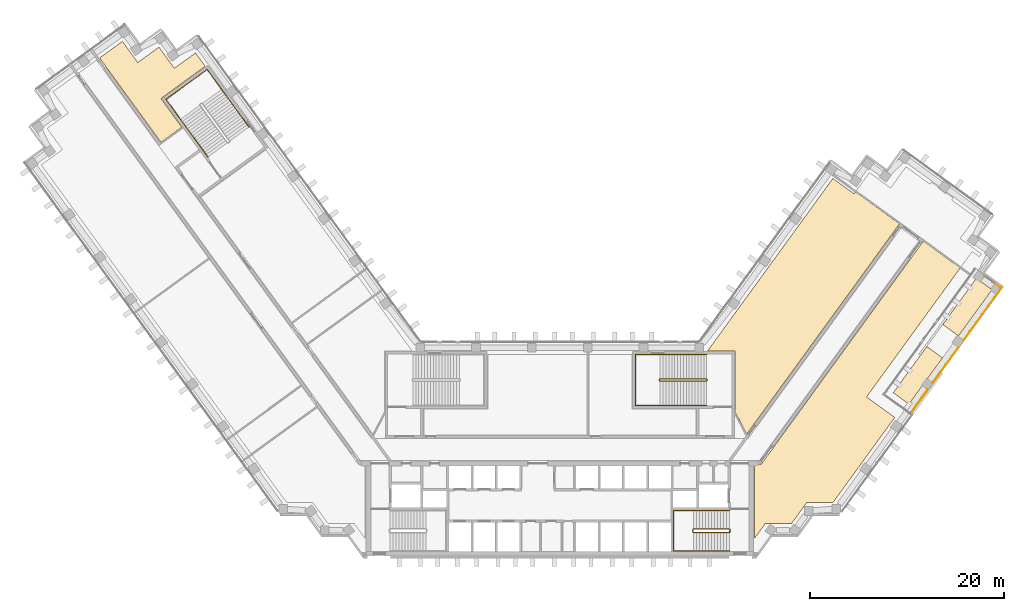
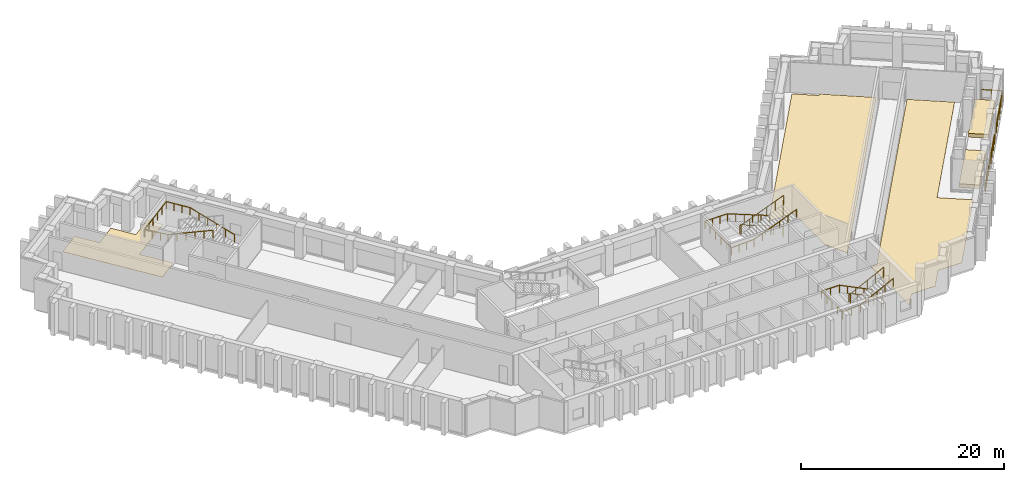
# One storey, part 13 of 14: 9 railings, 5 coverings.
"""IFC4 building model written with IfcOpenShell, lengths in metres."""

from ifc_helpers import new_model, si_unit, direction, frame, origin, origin_2d, place, context, subcontext, project, spatial, polyline, circle, outline, extrude, material, layer, layer_set, type_object, element, save


model = new_model("IFC4")

# Units and contexts
model_context = context("Model", 3, precision=1e-05, world=origin(), true_north=direction((0.0, 1.0)))
body_context = subcontext(model_context, "Body", "Model", "MODEL_VIEW")
ifc_project = project(units=[si_unit("LENGTHUNIT", "METRE"), si_unit("AREAUNIT", "SQUARE_METRE"), si_unit("VOLUMEUNIT", "CUBIC_METRE"), si_unit("PLANEANGLEUNIT", "RADIAN"), si_unit("MASSUNIT", "GRAM", prefix="KILO")], contexts=[model_context])

# Site, building, storey
site_placement = place(None, origin())
site = spatial("IfcSite", under=ifc_project, at=site_placement, CompositionType="ELEMENT")
building_placement = place(site_placement, origin())
building = spatial("IfcBuilding", under=site, at=building_placement, Name="Quipu Civic Tower", CompositionType="ELEMENT")
storey_placement = place(building_placement, frame((0.0, 0.0, 93.0)))
storey = spatial("IfcBuildingStorey", under=building, at=storey_placement, Name="L21", CompositionType="ELEMENT", Elevation=93.0)

# Coverings
ifc_material_1 = material(Name="Carpet tile on raised access floor")
ifc_layer_1 = layer(ifc_material_1, 0.02001953125)
ifc_layer_set_1 = layer_set([ifc_layer_1], Name="Carpet tile on raised access floor")
covering_type_1 = type_object("IfcCoveringType", Name="Carpet tile floor finish 20", PredefinedType="FLOORING", material=ifc_layer_set_1)
covering_1_placement = place(storey_placement, origin())
element("IfcCovering", 1, at=covering_1_placement, inside=storey, type_object=covering_type_1, Name="Carpet tile floor finish 20", PredefinedType="FLOORING", context=body_context, shape_type="SweptSolid", body=[
    extrude(outline(polyline([(-47.471923828125, 40.39794921875), (-45.116943359375, 42.10791015625), (-43.531982421875, 39.925048828125), (-41.346923828125, 41.510986328125), (-39.760009765625, 39.326904296875), (-37.574951171875, 40.9130859375), (-36.570068359375, 39.530029296875), (-41.139892578125, 36.208984375), (-38.998046875, 33.260009765625), (-41.15087890625, 31.697021484375), (-47.471923828125, 40.39794921875)])), origin(), (0.0, 0.0, 1.0), 0.02001953125),
])
covering_2_placement = place(storey_placement, origin())
element("IfcCovering", 2, at=covering_2_placement, inside=storey, type_object=covering_type_1, Name="Carpet tile floor finish 20", PredefinedType="FLOORING", context=body_context, shape_type="SweptSolid", body=[
    extrude(outline(polyline([(15.238037109375, 10.169921875), (28.169921875, 27.968994140625), (30.35302734375, 26.383056640625), (30.5009765625, 26.583984375), (35.0400390625, 23.2880859375), (19.27197265625, 1.583984375), (18.070068359375, 3.94189453125), (18.070068359375, 10.1689453125), (15.238037109375, 10.169921875)])), origin(), (0.0, 0.0, 1.0), 0.02001953125),
])
covering_3_placement = place(storey_placement, origin())
element("IfcCovering", 3, at=covering_3_placement, inside=storey, type_object=covering_type_1, Name="Carpet tile floor finish 20", PredefinedType="FLOORING", context=body_context, shape_type="SweptSolid", body=[
    extrude(outline(polyline([(20.070068359375, -9.195068359375), (20.070068359375, -1.52001953125), (20.77490234375, -1.51904296875), (37.4990234375, 21.5), (41.31005859375, 18.73193359375), (31.64208984375, 5.425048828125), (34.552978515625, 3.30810546875), (28.181884765625, -5.4609375), (25.48193359375, -5.4619140625), (25.2080078125, -5.840087890625), (25.205078125, -5.841064453125), (25.200927734375, -5.843017578125), (25.197021484375, -5.844970703125), (25.193115234375, -5.847900390625), (25.18896484375, -5.85205078125), (25.18603515625, -5.85498046875), (25.18310546875, -5.85888671875), (25.179931640625, -5.863037109375), (25.177978515625, -5.867919921875), (25.177001953125, -5.8720703125), (25.175048828125, -5.876953125), (25.175048828125, -5.882080078125), (25.174072265625, -5.885986328125), (23.89501953125, -7.64599609375), (21.721923828125, -7.64599609375), (21.721923828125, -7.64599609375), (21.718017578125, -7.64306640625), (21.712890625, -7.64111328125), (21.708984375, -7.638916015625), (21.7041015625, -7.637939453125), (21.698974609375, -7.636962890625), (21.694091796875, -7.635986328125), (21.68896484375, -7.636962890625), (21.68408203125, -7.636962890625), (21.679931640625, -7.637939453125), (21.675048828125, -7.639892578125), (21.669921875, -7.64111328125), (21.666015625, -7.64404296875), (21.6630859375, -7.64599609375), (21.196044921875, -7.64599609375), (20.070068359375, -9.195068359375)])), origin(), (0.0, 0.0, 1.0), 0.02001953125),
])
ifc_material_2 = material(Name="Planting soil on drainage board")
ifc_layer_2 = layer(ifc_material_2, 0.449951171875)
ifc_layer_set_2 = layer_set([ifc_layer_2], Name="Planting soil on drainage board")
covering_type_2 = type_object("IfcCoveringType", Name="Planted terrace build-up", PredefinedType="FLOORING", material=ifc_layer_set_2)
covering_4_placement = place(storey_placement, origin())
element("IfcCovering", 4, at=covering_4_placement, inside=storey, type_object=covering_type_2, Name="Planted terrace L21 bed 1", PredefinedType="FLOORING", context=body_context, shape_type="SweptSolid", body=[
    extrude(outline(polyline([(37.8603515625, 10.632080078125), (39.478515625, 9.45654296875), (36.0107421875, 4.68359375), (34.392578125, 5.859130859375), (37.8603515625, 10.632080078125)])), origin(), (0.0, 0.0, 1.0), 0.449951171875),
])
covering_5_placement = place(storey_placement, origin())
element("IfcCovering", 5, at=covering_5_placement, inside=storey, type_object=covering_type_2, Name="Planted terrace L21 bed 2", PredefinedType="FLOORING", context=body_context, shape_type="SweptSolid", body=[
    extrude(outline(polyline([(42.974365234375, 17.6708984375), (44.59228515625, 16.495361328125), (41.124267578125, 11.7216796875), (39.506103515625, 12.897216796875), (42.974365234375, 17.6708984375)])), origin(), (0.0, 0.0, 1.0), 0.449951171875),
])

# Railings
ifc_material_3 = material(Name="Stainless steel", Category="steel")
railing_type_1 = type_object("IfcRailingType", Name="Stair guard 1100", PredefinedType="GUARDRAIL", material=ifc_material_3)
railing_1_placement = place(storey_placement, frame((17.5, -8.199951171875, 0.15380859375)))
element("IfcRailing", 6, at=railing_1_placement, inside=storey, type_object=railing_type_1, Name="Stair 2 guard", PredefinedType="GUARDRAIL", context=body_context, shape_type="SweptSolid", body=[
    extrude(circle(Radius=0.02392578125, at=origin_2d()), frame((0.0, 0.0, 1.076171875), z_axis=(-0.895751851347, 0.0, 0.444554407028), x_axis=(0.0, -1.0, 0.0)), (0.0, 0.0, 1.0), 4.15283203125),
    extrude(circle(Radius=0.02392578125, at=origin_2d()), frame((-3.719970703125, 0.0, 2.92236328125), z_axis=(-0.707106781187, -0.707106781187, 0.0), x_axis=(0.707106781187, -0.707106781187, 0.0)), (0.0, 0.0, 1.0), 0.07080078125),
    extrude(circle(Radius=0.02392578125, at=origin_2d()), frame((-3.77001953125, -0.050048828125, 2.92236328125), z_axis=(0.0, -1.0, 0.0), x_axis=(1.0, 0.0, 0.0)), (0.0, 0.0, 1.0), 0.25),
    extrude(circle(Radius=0.02392578125, at=origin_2d()), frame((-3.77001953125, -0.300048828125, 2.92236328125), z_axis=(0.295599637079, -0.295599637079, 0.908428152975), x_axis=(0.707106781187, 0.707106781187, 0.0)), (0.0, 0.0, 1.0), 0.16943359375),
    extrude(circle(Radius=0.02392578125, at=origin_2d()), frame((-3.719970703125, -0.35009765625, 3.076171875), z_axis=(0.895751851347, 0.0, 0.444554407028), x_axis=(0.0, 1.0, 0.0)), (0.0, 0.0, 1.0), 4.15283203125),
    extrude(circle(Radius=0.02392578125, at=origin_2d()), frame((0.0, -0.35009765625, 4.92236328125), z_axis=(0.012476181752, 0.074796231092, -0.997120789425), x_axis=(-0.986372223864, 0.164529134168, 0.0)), (0.0, 0.0, 1.0), 4.011474609375),
    extrude(circle(Radius=0.02392578125, at=origin_2d()), frame((0.050048828125, -0.050048828125, 0.92236328125), z_axis=(0.0, -1.0, 0.0), x_axis=(1.0, 0.0, 0.0)), (0.0, 0.0, 1.0), 0.25),
    extrude(circle(Radius=0.02099609375, at=origin_2d()), origin(), (0.0, 0.0, 1.0), 1.052001953125),
    extrude(circle(Radius=0.02099609375, at=origin_2d()), frame((-0.929931640625, 0.0, 0.46142578125)), (0.0, 0.0, 1.0), 1.052001953125),
    extrude(circle(Radius=0.02099609375, at=origin_2d()), frame((-1.85986328125, 0.0, 0.923095703125)), (0.0, 0.0, 1.0), 1.052001953125),
    extrude(circle(Radius=0.02099609375, at=origin_2d()), frame((-2.7900390625, 0.0, 1.384765625)), (0.0, 0.0, 1.0), 1.052001953125),
    extrude(circle(Radius=0.02099609375, at=origin_2d()), frame((-3.719970703125, 0.0, 1.84619140625)), (0.0, 0.0, 1.0), 1.052001953125),
    extrude(circle(Radius=0.02099609375, at=origin_2d()), frame((-3.77001953125, -0.050048828125, 1.84619140625)), (0.0, 0.0, 1.0), 1.052001953125),
    extrude(circle(Radius=0.02099609375, at=origin_2d()), frame((-3.77001953125, -0.300048828125, 1.84619140625)), (0.0, 0.0, 1.0), 1.052001953125),
    extrude(circle(Radius=0.02099609375, at=origin_2d()), frame((-3.719970703125, -0.35009765625, 2.0)), (0.0, 0.0, 1.0), 1.052001953125),
    extrude(circle(Radius=0.02099609375, at=origin_2d()), frame((-2.7900390625, -0.35009765625, 2.46142578125)), (0.0, 0.0, 1.0), 1.052001953125),
    extrude(circle(Radius=0.02099609375, at=origin_2d()), frame((-1.85986328125, -0.35009765625, 2.923095703125)), (0.0, 0.0, 1.0), 1.052001953125),
    extrude(circle(Radius=0.02099609375, at=origin_2d()), frame((-0.929931640625, -0.35009765625, 3.384765625)), (0.0, 0.0, 1.0), 1.052001953125),
    extrude(circle(Radius=0.02099609375, at=origin_2d()), frame((0.0, -0.35009765625, 3.84619140625)), (0.0, 0.0, 1.0), 1.052001953125),
    extrude(circle(Radius=0.02099609375, at=origin_2d()), frame((0.012451171875, -0.275146484375, 2.84619140625)), (0.0, 0.0, 1.0), 1.052001953125),
    extrude(circle(Radius=0.02099609375, at=origin_2d()), frame((0.02490234375, -0.2001953125, 1.84619140625)), (0.0, 0.0, 1.0), 1.052001953125),
    extrude(circle(Radius=0.02099609375, at=origin_2d()), frame((0.03759765625, -0.125, 0.84619140625)), (0.0, 0.0, 1.0), 1.052001953125),
    extrude(circle(Radius=0.02099609375, at=origin_2d()), frame((0.050048828125, -0.050048828125, -0.15380859375)), (0.0, 0.0, 1.0), 1.052001953125),
    extrude(circle(Radius=0.02099609375, at=origin_2d()), frame((0.050048828125, -0.300048828125, -0.15380859375)), (0.0, 0.0, 1.0), 1.052001953125),
])
railing_2_placement = place(storey_placement, frame((15.14990234375, 7.300048828125, 0.11767578125)))
element("IfcRailing", 7, at=railing_2_placement, inside=storey, type_object=railing_type_1, Name="Stair 4 guard", PredefinedType="GUARDRAIL", context=body_context, shape_type="SweptSolid", body=[
    extrude(circle(Radius=0.02392578125, at=origin_2d()), frame((0.0, 0.0, 1.076171875), z_axis=(-0.930970042603, 0.0, 0.365095576219), x_axis=(0.0, -1.0, 0.0)), (0.0, 0.0, 1.0), 5.15576171875),
    extrude(circle(Radius=0.02392578125, at=origin_2d()), frame((-4.7998046875, 0.0, 2.95849609375), z_axis=(-0.707106781187, -0.707106781187, 0.0), x_axis=(0.707106781187, -0.707106781187, 0.0)), (0.0, 0.0, 1.0), 0.07080078125),
    extrude(circle(Radius=0.02392578125, at=origin_2d()), frame((-4.849853515625, -0.050048828125, 2.95849609375), z_axis=(0.0, -1.0, 0.0), x_axis=(1.0, 0.0, 0.0)), (0.0, 0.0, 1.0), 0.14990234375),
    extrude(circle(Radius=0.02392578125, at=origin_2d()), frame((-4.849853515625, -0.199951171875, 2.95849609375), z_axis=(0.364463019033, -0.364463019033, 0.856932561824), x_axis=(0.707106781187, 0.707106781187, 0.0)), (0.0, 0.0, 1.0), 0.13720703125),
    extrude(circle(Radius=0.02392578125, at=origin_2d()), frame((-4.7998046875, -0.25, 3.076171875), z_axis=(0.930970042603, 0.0, 0.365095576219), x_axis=(0.0, 1.0, 0.0)), (0.0, 0.0, 1.0), 5.15576171875),
    extrude(circle(Radius=0.02392578125, at=origin_2d()), frame((0.0, -0.25, 4.95849609375), z_axis=(0.012495627992, 0.049921557685, -0.998674970829), x_axis=(-0.970072785993, 0.242814311512, 0.0)), (0.0, 0.0, 1.0), 4.00537109375),
    extrude(circle(Radius=0.02392578125, at=origin_2d()), frame((0.050048828125, -0.050048828125, 0.95849609375), z_axis=(0.0, -1.0, 0.0), x_axis=(1.0, 0.0, 0.0)), (0.0, 0.0, 1.0), 0.14990234375),
    extrude(circle(Radius=0.02099609375, at=origin_2d()), origin(), (0.0, 0.0, 1.0), 1.052001953125),
    extrude(circle(Radius=0.02099609375, at=origin_2d()), frame((-0.9599609375, 0.0, 0.37646484375)), (0.0, 0.0, 1.0), 1.052001953125),
    extrude(circle(Radius=0.02099609375, at=origin_2d()), frame((-1.919921875, 0.0, 0.7529296875)), (0.0, 0.0, 1.0), 1.052001953125),
    extrude(circle(Radius=0.02099609375, at=origin_2d()), frame((-2.8798828125, 0.0, 1.12939453125)), (0.0, 0.0, 1.0), 1.052001953125),
    extrude(circle(Radius=0.02099609375, at=origin_2d()), frame((-3.83984375, 0.0, 1.505859375)), (0.0, 0.0, 1.0), 1.052001953125),
    extrude(circle(Radius=0.02099609375, at=origin_2d()), frame((-4.7998046875, 0.0, 1.88232421875)), (0.0, 0.0, 1.0), 1.052001953125),
    extrude(circle(Radius=0.02099609375, at=origin_2d()), frame((-4.849853515625, -0.050048828125, 1.88232421875)), (0.0, 0.0, 1.0), 1.052001953125),
    extrude(circle(Radius=0.02099609375, at=origin_2d()), frame((-4.849853515625, -0.199951171875, 1.88232421875)), (0.0, 0.0, 1.0), 1.052001953125),
    extrude(circle(Radius=0.02099609375, at=origin_2d()), frame((-4.7998046875, -0.25, 2.0)), (0.0, 0.0, 1.0), 1.052001953125),
    extrude(circle(Radius=0.02099609375, at=origin_2d()), frame((-3.83984375, -0.25, 2.37646484375)), (0.0, 0.0, 1.0), 1.052001953125),
    extrude(circle(Radius=0.02099609375, at=origin_2d()), frame((-2.8798828125, -0.25, 2.7529296875)), (0.0, 0.0, 1.0), 1.052001953125),
    extrude(circle(Radius=0.02099609375, at=origin_2d()), frame((-1.919921875, -0.25, 3.12939453125)), (0.0, 0.0, 1.0), 1.052001953125),
    extrude(circle(Radius=0.02099609375, at=origin_2d()), frame((-0.9599609375, -0.25, 3.505859375)), (0.0, 0.0, 1.0), 1.052001953125),
    extrude(circle(Radius=0.02099609375, at=origin_2d()), frame((0.0, -0.25, 3.88232421875)), (0.0, 0.0, 1.0), 1.052001953125),
    extrude(circle(Radius=0.02099609375, at=origin_2d()), frame((0.012451171875, -0.199951171875, 2.88232421875)), (0.0, 0.0, 1.0), 1.052001953125),
    extrude(circle(Radius=0.02099609375, at=origin_2d()), frame((0.02490234375, -0.14990234375, 1.88232421875)), (0.0, 0.0, 1.0), 1.052001953125),
    extrude(circle(Radius=0.02099609375, at=origin_2d()), frame((0.03759765625, -0.10009765625, 0.88232421875)), (0.0, 0.0, 1.0), 1.052001953125),
    extrude(circle(Radius=0.02099609375, at=origin_2d()), frame((0.050048828125, -0.050048828125, -0.11767578125)), (0.0, 0.0, 1.0), 1.052001953125),
    extrude(circle(Radius=0.02099609375, at=origin_2d()), frame((0.050048828125, -0.199951171875, -0.11767578125)), (0.0, 0.0, 1.0), 1.052001953125),
])
ifc_material_4 = material(Name="Stainless steel", Category="steel")
railing_type_2 = type_object("IfcRailingType", Name="Stair handrail", PredefinedType="HANDRAIL", material=ifc_material_4)
railing_3_placement = place(storey_placement, frame((17.5, -6.300048828125, 0.15380859375)))
element("IfcRailing", 8, at=railing_3_placement, inside=storey, type_object=railing_type_2, Name="Stair 2 handrail", PredefinedType="HANDRAIL", context=body_context, shape_type="SweptSolid", body=[
    extrude(circle(Radius=0.02392578125, at=origin_2d()), frame((0.0, 0.0, 0.8759765625), z_axis=(-0.895751851347, 0.0, 0.444554407028), x_axis=(0.0, -1.0, 0.0)), (0.0, 0.0, 1.0), 4.15283203125),
    extrude(circle(Radius=0.02392578125, at=origin_2d()), frame((-3.719970703125, 0.0, 2.72216796875), z_axis=(-1.0, 0.0, 0.0), x_axis=(0.0, -1.0, 0.0)), (0.0, 0.0, 1.0), 2.030029296875),
    extrude(circle(Radius=0.02392578125, at=origin_2d()), frame((-5.75, 0.0, 2.72216796875), z_axis=(0.0, -1.0, 0.0), x_axis=(1.0, 0.0, 0.0)), (0.0, 0.0, 1.0), 4.14990234375),
    extrude(circle(Radius=0.02392578125, at=origin_2d()), frame((-5.75, -4.14990234375, 2.72216796875), z_axis=(0.997142003663, 0.0, 0.075550145798), x_axis=(0.0, 1.0, 0.0)), (0.0, 0.0, 1.0), 2.035888671875),
    extrude(circle(Radius=0.02392578125, at=origin_2d()), frame((-3.719970703125, -4.14990234375, 2.8759765625), z_axis=(0.895751851347, 0.0, 0.444554407028), x_axis=(0.0, 1.0, 0.0)), (0.0, 0.0, 1.0), 4.15283203125),
    extrude(circle(Radius=0.02099609375, at=origin_2d()), origin(), (0.0, 0.0, 1.0), 0.851806640625),
    extrude(circle(Radius=0.02099609375, at=origin_2d()), frame((-0.929931640625, 0.0, 0.46142578125)), (0.0, 0.0, 1.0), 0.851806640625),
    extrude(circle(Radius=0.02099609375, at=origin_2d()), frame((-1.85986328125, 0.0, 0.923095703125)), (0.0, 0.0, 1.0), 0.851806640625),
    extrude(circle(Radius=0.02099609375, at=origin_2d()), frame((-2.7900390625, 0.0, 1.384765625)), (0.0, 0.0, 1.0), 0.851806640625),
    extrude(circle(Radius=0.02099609375, at=origin_2d()), frame((-3.719970703125, 0.0, 1.84619140625)), (0.0, 0.0, 1.0), 0.851806640625),
    extrude(circle(Radius=0.02099609375, at=origin_2d()), frame((-4.73486328125, 0.0, 1.84619140625)), (0.0, 0.0, 1.0), 0.851806640625),
    extrude(circle(Radius=0.02099609375, at=origin_2d()), frame((-5.75, 0.0, 1.84619140625)), (0.0, 0.0, 1.0), 0.851806640625),
    extrude(circle(Radius=0.02099609375, at=origin_2d()), frame((-5.75, -1.03759765625, 1.84619140625)), (0.0, 0.0, 1.0), 0.851806640625),
    extrude(circle(Radius=0.02099609375, at=origin_2d()), frame((-5.75, -2.074951171875, 1.84619140625)), (0.0, 0.0, 1.0), 0.851806640625),
    extrude(circle(Radius=0.02099609375, at=origin_2d()), frame((-5.75, -3.1123046875, 1.84619140625)), (0.0, 0.0, 1.0), 0.851806640625),
    extrude(circle(Radius=0.02099609375, at=origin_2d()), frame((-5.75, -4.14990234375, 1.84619140625)), (0.0, 0.0, 1.0), 0.851806640625),
    extrude(circle(Radius=0.02099609375, at=origin_2d()), frame((-4.73486328125, -4.14990234375, 1.923095703125)), (0.0, 0.0, 1.0), 0.851806640625),
    extrude(circle(Radius=0.02099609375, at=origin_2d()), frame((-3.719970703125, -4.14990234375, 2.0)), (0.0, 0.0, 1.0), 0.851806640625),
    extrude(circle(Radius=0.02099609375, at=origin_2d()), frame((-2.7900390625, -4.14990234375, 2.46142578125)), (0.0, 0.0, 1.0), 0.851806640625),
    extrude(circle(Radius=0.02099609375, at=origin_2d()), frame((-1.85986328125, -4.14990234375, 2.923095703125)), (0.0, 0.0, 1.0), 0.851806640625),
    extrude(circle(Radius=0.02099609375, at=origin_2d()), frame((-0.929931640625, -4.14990234375, 3.384765625)), (0.0, 0.0, 1.0), 0.851806640625),
    extrude(circle(Radius=0.02099609375, at=origin_2d()), frame((0.0, -4.14990234375, 3.84619140625)), (0.0, 0.0, 1.0), 0.851806640625),
])
railing_4_placement = place(storey_placement, frame((15.14990234375, 9.800048828125, 0.11767578125)))
element("IfcRailing", 9, at=railing_4_placement, inside=storey, type_object=railing_type_2, Name="Stair 4 handrail", PredefinedType="HANDRAIL", context=body_context, shape_type="SweptSolid", body=[
    extrude(circle(Radius=0.02392578125, at=origin_2d()), frame((0.0, 0.0, 0.8759765625), z_axis=(-0.930970042603, 0.0, 0.365095576219), x_axis=(0.0, -1.0, 0.0)), (0.0, 0.0, 1.0), 5.15576171875),
    extrude(circle(Radius=0.02392578125, at=origin_2d()), frame((-4.7998046875, 0.0, 2.75830078125), z_axis=(-1.0, 0.0, 0.0), x_axis=(0.0, -1.0, 0.0)), (0.0, 0.0, 1.0), 2.550048828125),
    extrude(circle(Radius=0.02392578125, at=origin_2d()), frame((-7.349853515625, 0.0, 2.75830078125), z_axis=(0.0, -1.0, 0.0), x_axis=(1.0, 0.0, 0.0)), (0.0, 0.0, 1.0), 5.25),
    extrude(circle(Radius=0.02392578125, at=origin_2d()), frame((-7.349853515625, -5.25, 2.75830078125), z_axis=(0.998936948642, 0.0, 0.04609742549), x_axis=(0.0, 1.0, 0.0)), (0.0, 0.0, 1.0), 2.552734375),
    extrude(circle(Radius=0.02392578125, at=origin_2d()), frame((-4.7998046875, -5.25, 2.8759765625), z_axis=(0.930970042603, 0.0, 0.365095576219), x_axis=(0.0, 1.0, 0.0)), (0.0, 0.0, 1.0), 5.15576171875),
    extrude(circle(Radius=0.02099609375, at=origin_2d()), origin(), (0.0, 0.0, 1.0), 0.851806640625),
    extrude(circle(Radius=0.02099609375, at=origin_2d()), frame((-0.9599609375, 0.0, 0.37646484375)), (0.0, 0.0, 1.0), 0.851806640625),
    extrude(circle(Radius=0.02099609375, at=origin_2d()), frame((-1.919921875, 0.0, 0.7529296875)), (0.0, 0.0, 1.0), 0.851806640625),
    extrude(circle(Radius=0.02099609375, at=origin_2d()), frame((-2.8798828125, 0.0, 1.12939453125)), (0.0, 0.0, 1.0), 0.851806640625),
    extrude(circle(Radius=0.02099609375, at=origin_2d()), frame((-3.83984375, 0.0, 1.505859375)), (0.0, 0.0, 1.0), 0.851806640625),
    extrude(circle(Radius=0.02099609375, at=origin_2d()), frame((-4.7998046875, 0.0, 1.88232421875)), (0.0, 0.0, 1.0), 0.851806640625),
    extrude(circle(Radius=0.02099609375, at=origin_2d()), frame((-5.64990234375, 0.0, 1.88232421875)), (0.0, 0.0, 1.0), 0.851806640625),
    extrude(circle(Radius=0.02099609375, at=origin_2d()), frame((-6.499755859375, 0.0, 1.88232421875)), (0.0, 0.0, 1.0), 0.851806640625),
    extrude(circle(Radius=0.02099609375, at=origin_2d()), frame((-7.349853515625, 0.0, 1.88232421875)), (0.0, 0.0, 1.0), 0.851806640625),
    extrude(circle(Radius=0.02099609375, at=origin_2d()), frame((-7.349853515625, -1.050048828125, 1.88232421875)), (0.0, 0.0, 1.0), 0.851806640625),
    extrude(circle(Radius=0.02099609375, at=origin_2d()), frame((-7.349853515625, -2.10009765625, 1.88232421875)), (0.0, 0.0, 1.0), 0.851806640625),
    extrude(circle(Radius=0.02099609375, at=origin_2d()), frame((-7.349853515625, -3.14990234375, 1.88232421875)), (0.0, 0.0, 1.0), 0.851806640625),
    extrude(circle(Radius=0.02099609375, at=origin_2d()), frame((-7.349853515625, -4.199951171875, 1.88232421875)), (0.0, 0.0, 1.0), 0.851806640625),
    extrude(circle(Radius=0.02099609375, at=origin_2d()), frame((-7.349853515625, -5.25, 1.88232421875)), (0.0, 0.0, 1.0), 0.851806640625),
    extrude(circle(Radius=0.02099609375, at=origin_2d()), frame((-6.499755859375, -5.25, 1.921630859375)), (0.0, 0.0, 1.0), 0.851806640625),
    extrude(circle(Radius=0.02099609375, at=origin_2d()), frame((-5.64990234375, -5.25, 1.960693359375)), (0.0, 0.0, 1.0), 0.851806640625),
    extrude(circle(Radius=0.02099609375, at=origin_2d()), frame((-4.7998046875, -5.25, 2.0)), (0.0, 0.0, 1.0), 0.851806640625),
    extrude(circle(Radius=0.02099609375, at=origin_2d()), frame((-3.83984375, -5.25, 2.37646484375)), (0.0, 0.0, 1.0), 0.851806640625),
    extrude(circle(Radius=0.02099609375, at=origin_2d()), frame((-2.8798828125, -5.25, 2.7529296875)), (0.0, 0.0, 1.0), 0.851806640625),
    extrude(circle(Radius=0.02099609375, at=origin_2d()), frame((-1.919921875, -5.25, 3.12939453125)), (0.0, 0.0, 1.0), 0.851806640625),
    extrude(circle(Radius=0.02099609375, at=origin_2d()), frame((-0.9599609375, -5.25, 3.505859375)), (0.0, 0.0, 1.0), 0.851806640625),
    extrude(circle(Radius=0.02099609375, at=origin_2d()), frame((0.0, -5.25, 3.88232421875)), (0.0, 0.0, 1.0), 0.851806640625),
])
railing_5_placement = place(storey_placement, frame((-32.056396484375, 33.266845703125, 0.11767578125)))
element("IfcRailing", 10, at=railing_5_placement, inside=storey, type_object=railing_type_2, Name="Stair 6 handrail", PredefinedType="HANDRAIL", context=body_context, shape_type="SweptSolid", body=[
    extrude(circle(Radius=0.02392578125, at=origin_2d()), frame((0.0, 0.0, 0.8759765625), z_axis=(-0.54720100349, 0.753182689643, 0.365084781664), x_axis=(-0.809026317077, -0.587772420479, 0.0)), (0.0, 0.0, 1.0), 5.15576171875),
    extrude(circle(Radius=0.02392578125, at=origin_2d()), frame((-2.8212890625, 3.88330078125, 2.75830078125), z_axis=(-0.587767432704, 0.809029940764, 0.0), x_axis=(-0.809029940764, -0.587767432704, 0.0)), (0.0, 0.0, 1.0), 2.550048828125),
    extrude(circle(Radius=0.02392578125, at=origin_2d()), frame((-4.320068359375, 5.9462890625, 2.75830078125), z_axis=(-0.809009483706, -0.587795589702, 0.0), x_axis=(0.587795589702, -0.809009483706, 0.0)), (0.0, 0.0, 1.0), 5.25),
    extrude(circle(Radius=0.02392578125, at=origin_2d()), frame((-8.5673828125, 2.8603515625, 2.75830078125), z_axis=(0.587142558822, -0.808169835812, 0.046099155132), x_axis=(0.809029940764, 0.587767432704, 0.0)), (0.0, 0.0, 1.0), 2.552734375),
    extrude(circle(Radius=0.02392578125, at=origin_2d()), frame((-7.068603515625, 0.79736328125, 2.8759765625), z_axis=(0.54720100349, -0.753182689643, 0.365084781664), x_axis=(0.809026317077, 0.587772420479, 0.0)), (0.0, 0.0, 1.0), 5.15576171875),
    extrude(circle(Radius=0.02099609375, at=origin_2d()), origin(), (0.0, 0.0, 1.0), 0.851806640625),
    extrude(circle(Radius=0.02099609375, at=origin_2d()), frame((-0.564208984375, 0.776611328125, 0.37646484375)), (0.0, 0.0, 1.0), 0.851806640625),
    extrude(circle(Radius=0.02099609375, at=origin_2d()), frame((-1.12841796875, 1.55322265625, 0.7529296875)), (0.0, 0.0, 1.0), 0.851806640625),
    extrude(circle(Radius=0.02099609375, at=origin_2d()), frame((-1.69287109375, 2.330078125, 1.12939453125)), (0.0, 0.0, 1.0), 0.851806640625),
    extrude(circle(Radius=0.02099609375, at=origin_2d()), frame((-2.257080078125, 3.106689453125, 1.505859375)), (0.0, 0.0, 1.0), 0.851806640625),
    extrude(circle(Radius=0.02099609375, at=origin_2d()), frame((-2.8212890625, 3.88330078125, 1.88232421875)), (0.0, 0.0, 1.0), 0.851806640625),
    extrude(circle(Radius=0.02099609375, at=origin_2d()), frame((-3.32080078125, 4.571044921875, 1.88232421875)), (0.0, 0.0, 1.0), 0.851806640625),
    extrude(circle(Radius=0.02099609375, at=origin_2d()), frame((-3.820556640625, 5.258544921875, 1.88232421875)), (0.0, 0.0, 1.0), 0.851806640625),
    extrude(circle(Radius=0.02099609375, at=origin_2d()), frame((-4.320068359375, 5.9462890625, 1.88232421875)), (0.0, 0.0, 1.0), 0.851806640625),
    extrude(circle(Radius=0.02099609375, at=origin_2d()), frame((-5.16943359375, 5.3291015625, 1.88232421875)), (0.0, 0.0, 1.0), 0.851806640625),
    extrude(circle(Radius=0.02099609375, at=origin_2d()), frame((-6.01904296875, 4.7119140625, 1.88232421875)), (0.0, 0.0, 1.0), 0.851806640625),
    extrude(circle(Radius=0.02099609375, at=origin_2d()), frame((-6.868408203125, 4.0947265625, 1.88232421875)), (0.0, 0.0, 1.0), 0.851806640625),
    extrude(circle(Radius=0.02099609375, at=origin_2d()), frame((-7.718017578125, 3.4775390625, 1.88232421875)), (0.0, 0.0, 1.0), 0.851806640625),
    extrude(circle(Radius=0.02099609375, at=origin_2d()), frame((-8.5673828125, 2.8603515625, 1.88232421875)), (0.0, 0.0, 1.0), 0.851806640625),
    extrude(circle(Radius=0.02099609375, at=origin_2d()), frame((-8.06787109375, 2.172607421875, 1.921630859375)), (0.0, 0.0, 1.0), 0.851806640625),
    extrude(circle(Radius=0.02099609375, at=origin_2d()), frame((-7.568115234375, 1.485107421875, 1.960693359375)), (0.0, 0.0, 1.0), 0.851806640625),
    extrude(circle(Radius=0.02099609375, at=origin_2d()), frame((-7.068603515625, 0.79736328125, 2.0)), (0.0, 0.0, 1.0), 0.851806640625),
    extrude(circle(Radius=0.02099609375, at=origin_2d()), frame((-6.50439453125, 0.020751953125, 2.37646484375)), (0.0, 0.0, 1.0), 0.851806640625),
    extrude(circle(Radius=0.02099609375, at=origin_2d()), frame((-5.940185546875, -0.755859375, 2.7529296875)), (0.0, 0.0, 1.0), 0.851806640625),
    extrude(circle(Radius=0.02099609375, at=origin_2d()), frame((-5.375732421875, -1.53271484375, 3.12939453125)), (0.0, 0.0, 1.0), 0.851806640625),
    extrude(circle(Radius=0.02099609375, at=origin_2d()), frame((-4.8115234375, -2.309326171875, 3.505859375)), (0.0, 0.0, 1.0), 0.851806640625),
    extrude(circle(Radius=0.02099609375, at=origin_2d()), frame((-4.247314453125, -3.0859375, 3.88232421875)), (0.0, 0.0, 1.0), 0.851806640625),
])
ifc_material_5 = material(Name="Steel S275", Category="steel")
railing_type_3 = type_object("IfcRailingType", Name="Terrace guard G1", PredefinedType="GUARDRAIL", material=ifc_material_5)
railing_6_placement = place(storey_placement, frame((36.208251953125, 3.798583984375, 0.0)))
element("IfcRailing", 11, at=railing_6_placement, inside=storey, type_object=railing_type_3, Name="Terrace guard L21.1", PredefinedType="GUARDRAIL", context=body_context, shape_type="SweptSolid", body=[
    extrude(circle(Radius=0.02490234375, at=origin_2d()), frame((0.0, 0.0, 1.1748046875), z_axis=(0.587821683402, 0.808990524371, 0.0), x_axis=(-0.808990524371, 0.587821683402, 0.0)), (0.0, 0.0, 1.0), 2.945068359375),
    extrude(circle(Radius=0.02490234375, at=origin_2d()), origin(), (0.0, 0.0, 1.0), 1.14990234375),
    extrude(circle(Radius=0.02490234375, at=origin_2d()), frame((0.5771484375, 0.794189453125, 0.0)), (0.0, 0.0, 1.0), 1.14990234375),
    extrude(circle(Radius=0.02490234375, at=origin_2d()), frame((1.154052734375, 1.58837890625, 0.0)), (0.0, 0.0, 1.0), 1.14990234375),
    extrude(circle(Radius=0.02490234375, at=origin_2d()), frame((1.731201171875, 2.382568359375, 0.0)), (0.0, 0.0, 1.0), 1.14990234375),
])
railing_7_placement = place(storey_placement, frame((38.46826171875, 6.909423828125, 0.0)))
element("IfcRailing", 12, at=railing_7_placement, inside=storey, type_object=railing_type_3, Name="Terrace guard L21.2", PredefinedType="GUARDRAIL", context=body_context, shape_type="SweptSolid", body=[
    extrude(circle(Radius=0.02490234375, at=origin_2d()), frame((0.0, 0.0, 1.1748046875), z_axis=(0.587813580995, 0.80899641161, 0.0), x_axis=(-0.80899641161, 0.587813580995, 0.0)), (0.0, 0.0, 1.0), 4.500244140625),
    extrude(circle(Radius=0.02490234375, at=origin_2d()), origin(), (0.0, 0.0, 1.0), 1.14990234375),
    extrude(circle(Radius=0.02490234375, at=origin_2d()), frame((0.661376953125, 0.91015625, 0.0)), (0.0, 0.0, 1.0), 1.14990234375),
    extrude(circle(Radius=0.02490234375, at=origin_2d()), frame((1.32275390625, 1.8203125, 0.0)), (0.0, 0.0, 1.0), 1.14990234375),
    extrude(circle(Radius=0.02490234375, at=origin_2d()), frame((1.98388671875, 2.73046875, 0.0)), (0.0, 0.0, 1.0), 1.14990234375),
    extrude(circle(Radius=0.02490234375, at=origin_2d()), frame((2.645263671875, 3.640625, 0.0)), (0.0, 0.0, 1.0), 1.14990234375),
])
railing_8_placement = place(storey_placement, frame((41.642333984375, 11.278076171875, 0.0)))
element("IfcRailing", 13, at=railing_8_placement, inside=storey, type_object=railing_type_3, Name="Terrace guard L21.3", PredefinedType="GUARDRAIL", context=body_context, shape_type="SweptSolid", body=[
    extrude(circle(Radius=0.02490234375, at=origin_2d()), frame((0.0, 0.0, 1.1748046875), z_axis=(0.587797351114, 0.809008203928, 0.0), x_axis=(-0.809008203928, 0.587797351114, 0.0)), (0.0, 0.0, 1.0), 6.5546875),
    extrude(circle(Radius=0.02490234375, at=origin_2d()), origin(), (0.0, 0.0, 1.0), 1.14990234375),
    extrude(circle(Radius=0.02490234375, at=origin_2d()), frame((0.64208984375, 0.8837890625, 0.0)), (0.0, 0.0, 1.0), 1.14990234375),
    extrude(circle(Radius=0.02490234375, at=origin_2d()), frame((1.2841796875, 1.767578125, 0.0)), (0.0, 0.0, 1.0), 1.14990234375),
    extrude(circle(Radius=0.02490234375, at=origin_2d()), frame((1.92626953125, 2.6513671875, 0.0)), (0.0, 0.0, 1.0), 1.14990234375),
    extrude(circle(Radius=0.02490234375, at=origin_2d()), frame((2.568603515625, 3.53515625, 0.0)), (0.0, 0.0, 1.0), 1.14990234375),
    extrude(circle(Radius=0.02490234375, at=origin_2d()), frame((3.210693359375, 4.4189453125, 0.0)), (0.0, 0.0, 1.0), 1.14990234375),
    extrude(circle(Radius=0.02490234375, at=origin_2d()), frame((3.852783203125, 5.302734375, 0.0)), (0.0, 0.0, 1.0), 1.14990234375),
])
railing_9_placement = place(storey_placement, frame((45.4775390625, 16.692626953125, 0.0)))
element("IfcRailing", 14, at=railing_9_placement, inside=storey, type_object=railing_type_3, Name="Terrace guard L21.4", PredefinedType="GUARDRAIL", context=body_context, shape_type="SweptSolid", body=[
    extrude(circle(Radius=0.02490234375, at=origin_2d()), frame((0.0, 0.0, 1.1748046875), z_axis=(-0.808983206573, 0.587831754401, 0.0), x_axis=(-0.587831754401, -0.808983206573, 0.0)), (0.0, 0.0, 1.0), 2.050048828125),
    extrude(circle(Radius=0.02490234375, at=origin_2d()), origin(), (0.0, 0.0, 1.0), 1.14990234375),
    extrude(circle(Radius=0.02490234375, at=origin_2d()), frame((-0.8291015625, 0.6025390625, 0.0)), (0.0, 0.0, 1.0), 1.14990234375),
    extrude(circle(Radius=0.02490234375, at=origin_2d()), frame((-1.658447265625, 1.205078125, 0.0)), (0.0, 0.0, 1.0), 1.14990234375),
])

save(model, "model.ifc")
